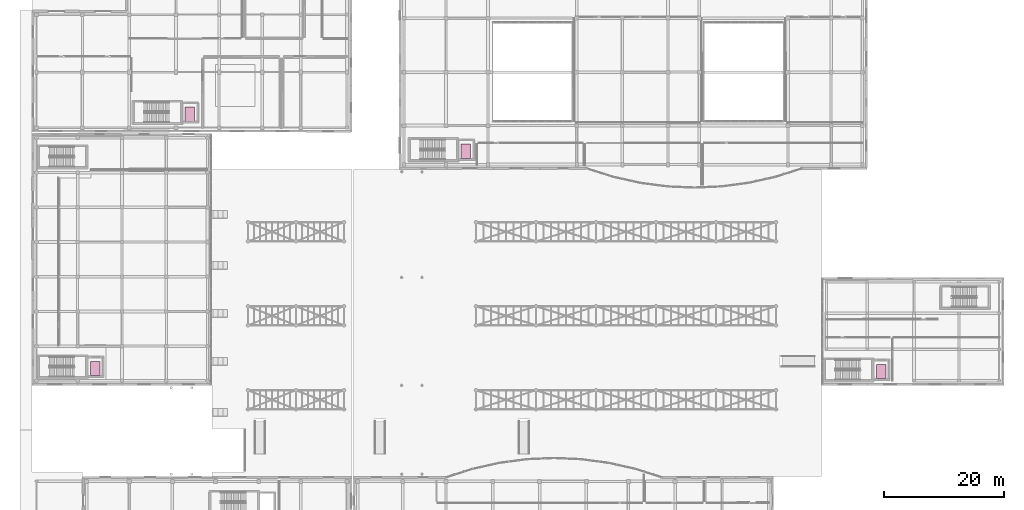
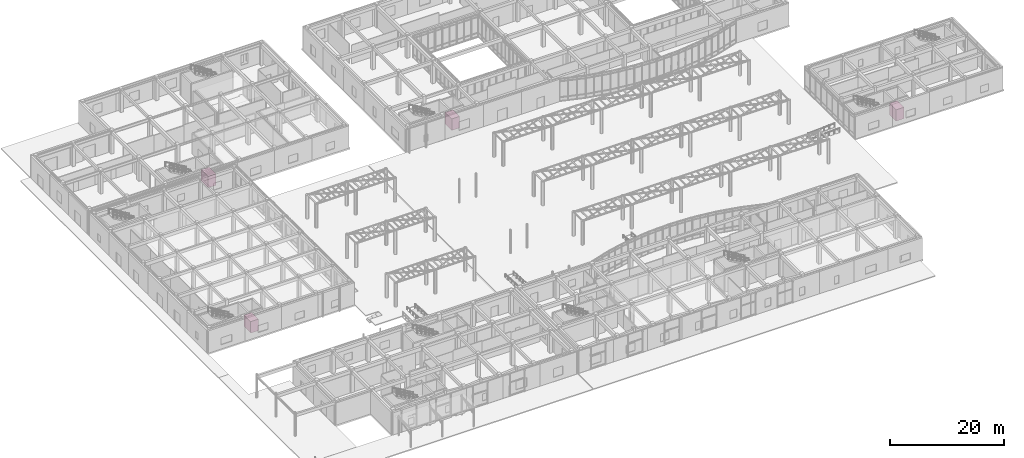
# One storey, part 121 of 121: 4 transport elements.
"""IFC4 building model written with IfcOpenShell, lengths in metres."""

from ifc_helpers import new_model, si_unit, direction, frame, origin, origin_2d, place, context, subcontext, project, spatial, rectangle, extrude, material, type_object, element, save


model = new_model("IFC4")

# Units and contexts
model_context = context("Model", 3, precision=1e-05, world=origin(), true_north=direction((0.0, 1.0)))
body_context = subcontext(model_context, "Body", "Model", "MODEL_VIEW")
ifc_project = project(units=[si_unit("LENGTHUNIT", "METRE"), si_unit("AREAUNIT", "SQUARE_METRE"), si_unit("VOLUMEUNIT", "CUBIC_METRE"), si_unit("PLANEANGLEUNIT", "RADIAN"), si_unit("MASSUNIT", "GRAM", prefix="KILO")], contexts=[model_context])

# Site, building, storey
site_placement = place(None, origin())
site = spatial("IfcSite", under=ifc_project, at=site_placement, CompositionType="ELEMENT")
building_placement = place(site_placement, origin())
building = spatial("IfcBuilding", under=site, at=building_placement, Name="Valcora Specialist Clinic", CompositionType="ELEMENT")
storey_placement = place(building_placement, origin())
storey = spatial("IfcBuildingStorey", under=building, at=storey_placement, Name="L00", CompositionType="ELEMENT", Elevation=0.0)

# Transport elements
ifc_material = material(Name="Stainless Steel AISI 316", Category="steel")
transport_element_type = type_object("IfcTransportElementType", Name="TY-LF-STR1800", PredefinedType="ELEVATOR", material=ifc_material)
for number, where, z_axis, x_axis, name in (
    (1, (10.52001953125, 40.820068359375, 0.0), (0.0, 0.0, 1.0), (1.0, 0.0, 0.0), "Elevator LF-01"),
    (2, (26.320068359375, 83.219970703125, 0.0), (0.0, 0.0, 1.0), (1.0, 0.0, 0.0), "Elevator LF-02"),
    (3, (141.52001953125, 40.320068359375, 0.0), (0.0, 0.0, 1.0), (1.0, 0.0, 0.0), "Elevator LF-03"),
    (4, (72.320068359375, 77.02001953125, 0.0), (0.0, 0.0, 1.0), (1.0, 0.0, 0.0), "Elevator LF-04"),
):
    element("IfcTransportElement", number, at=place(storey_placement, frame(where, z_axis=z_axis, x_axis=x_axis)), inside=storey, type_object=transport_element_type, Name=name, PredefinedType="ELEVATOR", context=body_context, shape_type="SweptSolid", body=[
        extrude(rectangle(XDim=1.60009765625, YDim=2.39990234375, at=origin_2d()), origin(), (0.0, 0.0, 1.0), 2.449951171875),
    ])

save(model, "model.ifc")
